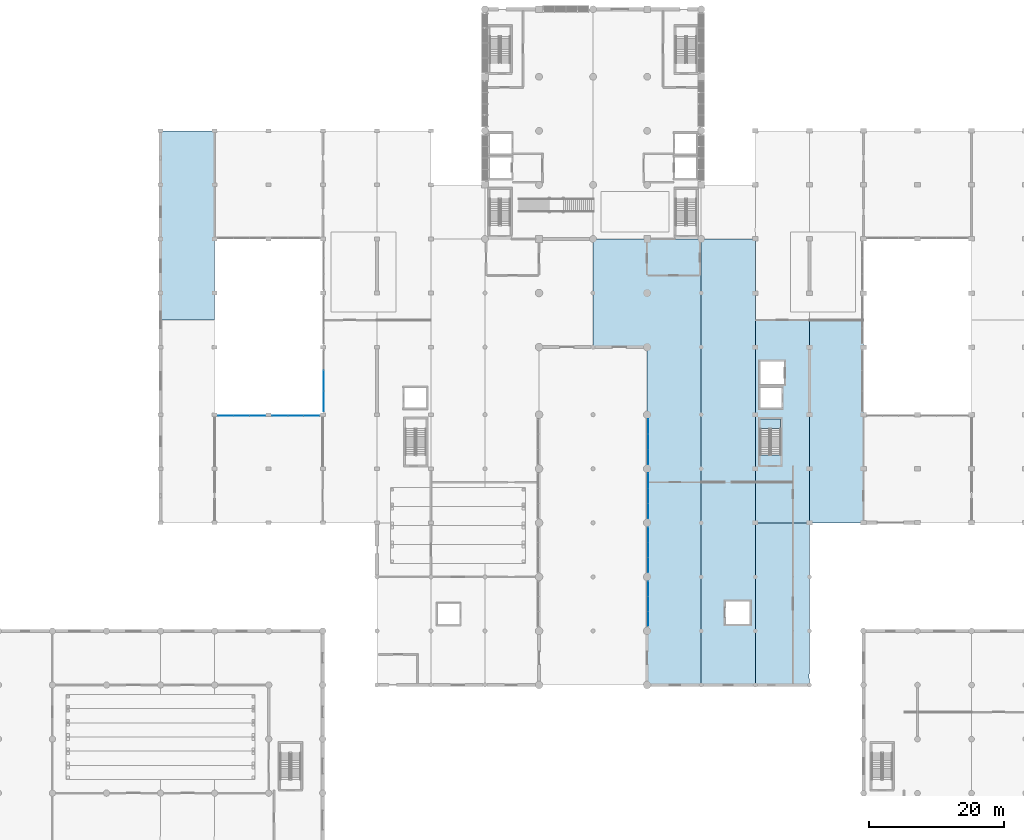
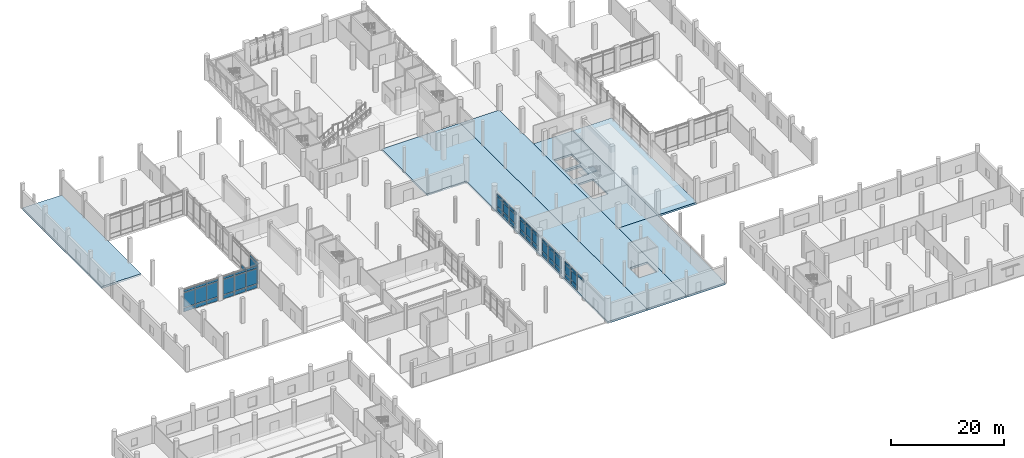
# One storey, part 16 of 42: 56 plates, 7 slabs, 8 elements without a shape of their own.
"""IFC4 building model written with IfcOpenShell, lengths in metres."""

from ifc_helpers import new_model, si_unit, direction, frame, origin, origin_2d, place, context, subcontext, project, spatial, polyline, rectangle, outline, extrude, material, layer, layer_set, type_object, element, aggregate, save


model = new_model("IFC4")

# Units and contexts
model_context = context("Model", 3, precision=1e-05, world=origin(), true_north=direction((0.0, 1.0)))
body_context = subcontext(model_context, "Body", "Model", "MODEL_VIEW")
ifc_project = project(units=[si_unit("LENGTHUNIT", "METRE"), si_unit("AREAUNIT", "SQUARE_METRE"), si_unit("VOLUMEUNIT", "CUBIC_METRE"), si_unit("PLANEANGLEUNIT", "RADIAN"), si_unit("MASSUNIT", "GRAM", prefix="KILO")], contexts=[model_context])

# Site, building, storey
site_placement = place(None, origin())
site = spatial("IfcSite", under=ifc_project, at=site_placement, CompositionType="ELEMENT")
building_placement = place(site_placement, origin())
building = spatial("IfcBuilding", under=site, at=building_placement, Name="Pecanmere Concourse Central Library", CompositionType="ELEMENT")
storey_placement = place(building_placement, origin())
storey = spatial("IfcBuildingStorey", under=building, at=storey_placement, Name="L01", CompositionType="ELEMENT", Elevation=0.0)

# Curtain wall, plates
ifc_material_1 = material(Name="Clear anodized aluminium alloy 6063-T6", Category="aluminium")
curtain_wall_type = type_object("IfcCurtainWallType", Name="CW_CLOISTER_GLAZ", PredefinedType="USERDEFINED", material=ifc_material_1)
curtain_wall_1_placement = place(storey_placement, origin())
curtain_wall_1 = element("IfcCurtainWall", 1, at=curtain_wall_1_placement, inside=storey, type_object=curtain_wall_type, Name="Unitised Curtain Wall CW-04 L01-102", ObjectType="UNITISED CURTAIN WALL", PredefinedType="USERDEFINED")
ifc_material_2 = material(Name="White ceramic-fritted insulated spandrel glazing", Category="glass")
ifc_layer_1 = layer(ifc_material_2, 0.053955078125, Name="CWP_SPN_54")
ifc_layer_set_1 = layer_set([ifc_layer_1], Name="White ceramic-fritted insulated spandrel glazing")
plate_type_1 = type_object("IfcPlateType", Name="CWP_SPN_54", PredefinedType="CURTAIN_PANEL", material=ifc_layer_set_1)
plate_1_placement = place(storey_placement, frame((48.14990234375, 69.0, 0.139892578125), z_axis=(0.0, 0.0, 1.0), x_axis=(0.0, -1.0, 0.0)))
plate_1 = element("IfcPlate", 2, at=plate_1_placement, type_object=plate_type_1, Name="CW-04 Spandrel Panel 2.1", PredefinedType="CURTAIN_PANEL", context=body_context, shape_type="SweptSolid", body=[
    extrude(rectangle(XDim=2.953369140625, YDim=0.035888671875, at=origin_2d()), origin(), (0.0, 0.0, 1.0), 0.7900390625),
])
plate_2_placement = place(storey_placement, frame((48.14990234375, 66.001708984375, 0.139892578125), z_axis=(0.0, 0.0, 1.0), x_axis=(0.0, -1.0, 0.0)))
plate_2 = element("IfcPlate", 3, at=plate_2_placement, type_object=plate_type_1, Name="CW-04 Spandrel Panel 3.1", PredefinedType="CURTAIN_PANEL", context=body_context, shape_type="SweptSolid", body=[
    extrude(rectangle(XDim=2.92333984375, YDim=0.035888671875, at=origin_2d()), origin(), (0.0, 0.0, 1.0), 0.7900390625),
])

curtain_wall_2_placement = place(storey_placement, origin())
curtain_wall_2 = element("IfcCurtainWall", 4, at=curtain_wall_2_placement, inside=storey, type_object=curtain_wall_type, Name="Unitised Curtain Wall CW-04 L01-111", ObjectType="UNITISED CURTAIN WALL", PredefinedType="USERDEFINED")
plate_3_placement = place(storey_placement, frame((33.668212890625, 63.85009765625, 0.139892578125), z_axis=(0.0, 0.0, 1.0), x_axis=(1.0, 0.0, 0.0)))
plate_3 = element("IfcPlate", 5, at=plate_3_placement, type_object=plate_type_1, Name="CW-04 Spandrel Panel 1.1", PredefinedType="CURTAIN_PANEL", context=body_context, shape_type="SweptSolid", body=[
    extrude(rectangle(XDim=2.256591796875, YDim=0.035888671875, at=origin_2d()), origin(), (0.0, 0.0, 1.0), 0.7900390625),
])
plate_4_placement = place(storey_placement, frame((36.0, 63.85009765625, 0.139892578125), z_axis=(0.0, 0.0, 1.0), x_axis=(1.0, 0.0, 0.0)))
plate_4 = element("IfcPlate", 6, at=plate_4_placement, type_object=plate_type_1, Name="CW-04 Spandrel Panel 2.1", PredefinedType="CURTAIN_PANEL", context=body_context, shape_type="SweptSolid", body=[
    extrude(rectangle(XDim=2.28662109375, YDim=0.035888671875, at=origin_2d()), origin(), (0.0, 0.0, 1.0), 0.7900390625),
])
plate_5_placement = place(storey_placement, frame((38.331787109375, 63.85009765625, 0.139892578125), z_axis=(0.0, 0.0, 1.0), x_axis=(1.0, 0.0, 0.0)))
plate_5 = element("IfcPlate", 7, at=plate_5_placement, type_object=plate_type_1, Name="CW-04 Spandrel Panel 3.1", PredefinedType="CURTAIN_PANEL", context=body_context, shape_type="SweptSolid", body=[
    extrude(rectangle(XDim=2.256591796875, YDim=0.035888671875, at=origin_2d()), origin(), (0.0, 0.0, 1.0), 0.7900390625),
])

curtain_wall_3_placement = place(storey_placement, origin())
curtain_wall_3 = element("IfcCurtainWall", 8, at=curtain_wall_3_placement, inside=storey, type_object=curtain_wall_type, Name="Unitised Curtain Wall CW-04 L01-113", ObjectType="UNITISED CURTAIN WALL", PredefinedType="USERDEFINED")
plate_6_placement = place(storey_placement, frame((41.668212890625, 63.85009765625, 0.139892578125), z_axis=(0.0, 0.0, 1.0), x_axis=(1.0, 0.0, 0.0)))
plate_6 = element("IfcPlate", 9, at=plate_6_placement, type_object=plate_type_1, Name="CW-04 Spandrel Panel 1.1", PredefinedType="CURTAIN_PANEL", context=body_context, shape_type="SweptSolid", body=[
    extrude(rectangle(XDim=2.256591796875, YDim=0.035888671875, at=origin_2d()), origin(), (0.0, 0.0, 1.0), 0.7900390625),
])
plate_7_placement = place(storey_placement, frame((44.0, 63.85009765625, 0.139892578125), z_axis=(0.0, 0.0, 1.0), x_axis=(1.0, 0.0, 0.0)))
plate_7 = element("IfcPlate", 10, at=plate_7_placement, type_object=plate_type_1, Name="CW-04 Spandrel Panel 2.1", PredefinedType="CURTAIN_PANEL", context=body_context, shape_type="SweptSolid", body=[
    extrude(rectangle(XDim=2.28662109375, YDim=0.035888671875, at=origin_2d()), origin(), (0.0, 0.0, 1.0), 0.7900390625),
])
plate_8_placement = place(storey_placement, frame((46.331787109375, 63.85009765625, 0.139892578125), z_axis=(0.0, 0.0, 1.0), x_axis=(1.0, 0.0, 0.0)))
plate_8 = element("IfcPlate", 11, at=plate_8_placement, type_object=plate_type_1, Name="CW-04 Spandrel Panel 3.1", PredefinedType="CURTAIN_PANEL", context=body_context, shape_type="SweptSolid", body=[
    extrude(rectangle(XDim=2.256591796875, YDim=0.035888671875, at=origin_2d()), origin(), (0.0, 0.0, 1.0), 0.7900390625),
])

curtain_wall_4_placement = place(storey_placement, origin())
curtain_wall_4 = element("IfcCurtainWall", 12, at=curtain_wall_4_placement, inside=storey, type_object=curtain_wall_type, Name="Unitised Curtain Wall CW-04 L01-164", ObjectType="UNITISED CURTAIN WALL", PredefinedType="USERDEFINED")
plate_9_placement = place(storey_placement, frame((96.14990234375, 38.22509765625, 0.14013671875), z_axis=(0.0, 0.0, 1.0), x_axis=(0.0, -1.0, 0.0)))
plate_9 = element("IfcPlate", 13, at=plate_9_placement, type_object=plate_type_1, Name="CW-04 Spandrel Panel 1.1", PredefinedType="CURTAIN_PANEL", context=body_context, shape_type="SweptSolid", body=[
    extrude(rectangle(XDim=2.14990234375, YDim=0.035888671875, at=origin_2d()), origin(), (0.0, 0.0, 1.0), 0.840087890625),
])
plate_10_placement = place(storey_placement, frame((96.14990234375, 36.0, 0.14013671875), z_axis=(0.0, 0.0, 1.0), x_axis=(0.0, -1.0, 0.0)))
plate_10 = element("IfcPlate", 14, at=plate_10_placement, type_object=plate_type_1, Name="CW-04 Spandrel Panel 2.1", PredefinedType="CURTAIN_PANEL", context=body_context, shape_type="SweptSolid", body=[
    extrude(rectangle(XDim=2.179931640625, YDim=0.035888671875, at=origin_2d()), origin(), (0.0, 0.0, 1.0), 0.840087890625),
])

curtain_wall_5_placement = place(storey_placement, origin())
curtain_wall_5 = element("IfcCurtainWall", 15, at=curtain_wall_5_placement, inside=storey, type_object=curtain_wall_type, Name="Unitised Curtain Wall CW-04 L01-166", ObjectType="UNITISED CURTAIN WALL", PredefinedType="USERDEFINED")
plate_11_placement = place(storey_placement, frame((96.14990234375, 46.22509765625, 0.14013671875), z_axis=(0.0, 0.0, 1.0), x_axis=(0.0, -1.0, 0.0)))
plate_11 = element("IfcPlate", 16, at=plate_11_placement, type_object=plate_type_1, Name="CW-04 Spandrel Panel 1.1", PredefinedType="CURTAIN_PANEL", context=body_context, shape_type="SweptSolid", body=[
    extrude(rectangle(XDim=2.14990234375, YDim=0.035888671875, at=origin_2d()), origin(), (0.0, 0.0, 1.0), 0.840087890625),
])
plate_12_placement = place(storey_placement, frame((96.14990234375, 44.0, 0.14013671875), z_axis=(0.0, 0.0, 1.0), x_axis=(0.0, -1.0, 0.0)))
plate_12 = element("IfcPlate", 17, at=plate_12_placement, type_object=plate_type_1, Name="CW-04 Spandrel Panel 2.1", PredefinedType="CURTAIN_PANEL", context=body_context, shape_type="SweptSolid", body=[
    extrude(rectangle(XDim=2.179931640625, YDim=0.035888671875, at=origin_2d()), origin(), (0.0, 0.0, 1.0), 0.840087890625),
])
plate_13_placement = place(storey_placement, frame((96.14990234375, 41.77490234375, 0.14013671875), z_axis=(0.0, 0.0, 1.0), x_axis=(0.0, -1.0, 0.0)))
plate_13 = element("IfcPlate", 18, at=plate_13_placement, type_object=plate_type_1, Name="CW-04 Spandrel Panel 3.1", PredefinedType="CURTAIN_PANEL", context=body_context, shape_type="SweptSolid", body=[
    extrude(rectangle(XDim=2.14990234375, YDim=0.035888671875, at=origin_2d()), origin(), (0.0, 0.0, 1.0), 0.840087890625),
])

curtain_wall_6_placement = place(storey_placement, origin())
curtain_wall_6 = element("IfcCurtainWall", 19, at=curtain_wall_6_placement, inside=storey, type_object=curtain_wall_type, Name="Unitised Curtain Wall CW-04 L01-168", ObjectType="UNITISED CURTAIN WALL", PredefinedType="USERDEFINED")
plate_14_placement = place(storey_placement, frame((96.14990234375, 54.22509765625, 0.14013671875), z_axis=(0.0, 0.0, 1.0), x_axis=(0.0, -1.0, 0.0)))
plate_14 = element("IfcPlate", 20, at=plate_14_placement, type_object=plate_type_1, Name="CW-04 Spandrel Panel 1.1", PredefinedType="CURTAIN_PANEL", context=body_context, shape_type="SweptSolid", body=[
    extrude(rectangle(XDim=2.14990234375, YDim=0.035888671875, at=origin_2d()), origin(), (0.0, 0.0, 1.0), 0.840087890625),
])
plate_15_placement = place(storey_placement, frame((96.14990234375, 52.0, 0.14013671875), z_axis=(0.0, 0.0, 1.0), x_axis=(0.0, -1.0, 0.0)))
plate_15 = element("IfcPlate", 21, at=plate_15_placement, type_object=plate_type_1, Name="CW-04 Spandrel Panel 2.1", PredefinedType="CURTAIN_PANEL", context=body_context, shape_type="SweptSolid", body=[
    extrude(rectangle(XDim=2.179931640625, YDim=0.035888671875, at=origin_2d()), origin(), (0.0, 0.0, 1.0), 0.840087890625),
])
plate_16_placement = place(storey_placement, frame((96.14990234375, 49.77490234375, 0.14013671875), z_axis=(0.0, 0.0, 1.0), x_axis=(0.0, -1.0, 0.0)))
plate_16 = element("IfcPlate", 22, at=plate_16_placement, type_object=plate_type_1, Name="CW-04 Spandrel Panel 3.1", PredefinedType="CURTAIN_PANEL", context=body_context, shape_type="SweptSolid", body=[
    extrude(rectangle(XDim=2.14990234375, YDim=0.035888671875, at=origin_2d()), origin(), (0.0, 0.0, 1.0), 0.840087890625),
])

curtain_wall_7_placement = place(storey_placement, origin())
curtain_wall_7 = element("IfcCurtainWall", 23, at=curtain_wall_7_placement, inside=storey, type_object=curtain_wall_type, Name="Unitised Curtain Wall CW-04 L01-170", ObjectType="UNITISED CURTAIN WALL", PredefinedType="USERDEFINED")
plate_17_placement = place(storey_placement, frame((96.14990234375, 62.22509765625, 0.14013671875), z_axis=(0.0, 0.0, 1.0), x_axis=(0.0, -1.0, 0.0)))
plate_17 = element("IfcPlate", 24, at=plate_17_placement, type_object=plate_type_1, Name="CW-04 Spandrel Panel 1.1", PredefinedType="CURTAIN_PANEL", context=body_context, shape_type="SweptSolid", body=[
    extrude(rectangle(XDim=2.14990234375, YDim=0.035888671875, at=origin_2d()), origin(), (0.0, 0.0, 1.0), 0.840087890625),
])
plate_18_placement = place(storey_placement, frame((96.14990234375, 60.0, 0.14013671875), z_axis=(0.0, 0.0, 1.0), x_axis=(0.0, -1.0, 0.0)))
plate_18 = element("IfcPlate", 25, at=plate_18_placement, type_object=plate_type_1, Name="CW-04 Spandrel Panel 2.1", PredefinedType="CURTAIN_PANEL", context=body_context, shape_type="SweptSolid", body=[
    extrude(rectangle(XDim=2.179931640625, YDim=0.035888671875, at=origin_2d()), origin(), (0.0, 0.0, 1.0), 0.840087890625),
])
plate_19_placement = place(storey_placement, frame((96.14990234375, 57.77490234375, 0.14013671875), z_axis=(0.0, 0.0, 1.0), x_axis=(0.0, -1.0, 0.0)))
plate_19 = element("IfcPlate", 26, at=plate_19_placement, type_object=plate_type_1, Name="CW-04 Spandrel Panel 3.1", PredefinedType="CURTAIN_PANEL", context=body_context, shape_type="SweptSolid", body=[
    extrude(rectangle(XDim=2.14990234375, YDim=0.035888671875, at=origin_2d()), origin(), (0.0, 0.0, 1.0), 0.840087890625),
])

# Plate
ifc_material_3 = material(Name="Low-iron clear insulated glazing", Category="glass")
ifc_layer_2 = layer(ifc_material_3, 0.035888671875, Name="CWP_VIS_36")
ifc_layer_set_2 = layer_set([ifc_layer_2], Name="Low-iron clear insulated glazing")
plate_type_2 = type_object("IfcPlateType", Name="CWP_VIS_36", PredefinedType="CURTAIN_PANEL", material=ifc_layer_set_2)
plate_20_placement = place(storey_placement, frame((48.14990234375, 66.001708984375, 1.070068359375), z_axis=(0.0, 0.0, 1.0), x_axis=(0.0, -1.0, 0.0)))
plate_20 = element("IfcPlate", 27, at=plate_20_placement, type_object=plate_type_2, Name="CW-04 Vision Panel 3.2", PredefinedType="CURTAIN_PANEL", context=body_context, shape_type="SweptSolid", body=[
    extrude(rectangle(XDim=2.92333984375, YDim=0.035888671875, at=origin_2d()), origin(), (0.0, 0.0, 1.0), 3.18994140625),
])

plate_21_placement = place(storey_placement, frame((48.14990234375, 66.001708984375, 4.39990234375), z_axis=(0.0, 0.0, 1.0), x_axis=(0.0, -1.0, 0.0)))
plate_21 = element("IfcPlate", 28, at=plate_21_placement, type_object=plate_type_2, Name="CW-04 Vision Panel 3.3", PredefinedType="CURTAIN_PANEL", context=body_context, shape_type="SweptSolid", body=[
    extrude(rectangle(XDim=2.92333984375, YDim=0.035888671875, at=origin_2d()), origin(), (0.0, 0.0, 1.0), 0.489990234375),
])

aggregate(curtain_wall_1, [plate_1, plate_2, plate_20, plate_21])

plate_22_placement = place(storey_placement, frame((33.668212890625, 63.85009765625, 1.070068359375), z_axis=(0.0, 0.0, 1.0), x_axis=(1.0, 0.0, 0.0)))
plate_22 = element("IfcPlate", 29, at=plate_22_placement, type_object=plate_type_2, Name="CW-04 Vision Panel 1.2", PredefinedType="CURTAIN_PANEL", context=body_context, shape_type="SweptSolid", body=[
    extrude(rectangle(XDim=2.256591796875, YDim=0.035888671875, at=origin_2d()), origin(), (0.0, 0.0, 1.0), 3.18994140625),
])

plate_23_placement = place(storey_placement, frame((33.668212890625, 63.85009765625, 4.39990234375), z_axis=(0.0, 0.0, 1.0), x_axis=(1.0, 0.0, 0.0)))
plate_23 = element("IfcPlate", 30, at=plate_23_placement, type_object=plate_type_2, Name="CW-04 Vision Panel 1.3", PredefinedType="CURTAIN_PANEL", context=body_context, shape_type="SweptSolid", body=[
    extrude(rectangle(XDim=2.256591796875, YDim=0.035888671875, at=origin_2d()), origin(), (0.0, 0.0, 1.0), 0.489990234375),
])

plate_24_placement = place(storey_placement, frame((36.0, 63.85009765625, 1.070068359375), z_axis=(0.0, 0.0, 1.0), x_axis=(1.0, 0.0, 0.0)))
plate_24 = element("IfcPlate", 31, at=plate_24_placement, type_object=plate_type_2, Name="CW-04 Vision Panel 2.2", PredefinedType="CURTAIN_PANEL", context=body_context, shape_type="SweptSolid", body=[
    extrude(rectangle(XDim=2.28662109375, YDim=0.035888671875, at=origin_2d()), origin(), (0.0, 0.0, 1.0), 3.18994140625),
])

plate_25_placement = place(storey_placement, frame((36.0, 63.85009765625, 4.39990234375), z_axis=(0.0, 0.0, 1.0), x_axis=(1.0, 0.0, 0.0)))
plate_25 = element("IfcPlate", 32, at=plate_25_placement, type_object=plate_type_2, Name="CW-04 Vision Panel 2.3", PredefinedType="CURTAIN_PANEL", context=body_context, shape_type="SweptSolid", body=[
    extrude(rectangle(XDim=2.28662109375, YDim=0.035888671875, at=origin_2d()), origin(), (0.0, 0.0, 1.0), 0.489990234375),
])

plate_26_placement = place(storey_placement, frame((38.331787109375, 63.85009765625, 1.070068359375), z_axis=(0.0, 0.0, 1.0), x_axis=(1.0, 0.0, 0.0)))
plate_26 = element("IfcPlate", 33, at=plate_26_placement, type_object=plate_type_2, Name="CW-04 Vision Panel 3.2", PredefinedType="CURTAIN_PANEL", context=body_context, shape_type="SweptSolid", body=[
    extrude(rectangle(XDim=2.256591796875, YDim=0.035888671875, at=origin_2d()), origin(), (0.0, 0.0, 1.0), 3.18994140625),
])

plate_27_placement = place(storey_placement, frame((38.331787109375, 63.85009765625, 4.39990234375), z_axis=(0.0, 0.0, 1.0), x_axis=(1.0, 0.0, 0.0)))
plate_27 = element("IfcPlate", 34, at=plate_27_placement, type_object=plate_type_2, Name="CW-04 Vision Panel 3.3", PredefinedType="CURTAIN_PANEL", context=body_context, shape_type="SweptSolid", body=[
    extrude(rectangle(XDim=2.256591796875, YDim=0.035888671875, at=origin_2d()), origin(), (0.0, 0.0, 1.0), 0.489990234375),
])

aggregate(curtain_wall_2, [plate_3, plate_22, plate_23, plate_4, plate_24, plate_25, plate_5, plate_26, plate_27])

plate_28_placement = place(storey_placement, frame((41.668212890625, 63.85009765625, 1.070068359375), z_axis=(0.0, 0.0, 1.0), x_axis=(1.0, 0.0, 0.0)))
plate_28 = element("IfcPlate", 35, at=plate_28_placement, type_object=plate_type_2, Name="CW-04 Vision Panel 1.2", PredefinedType="CURTAIN_PANEL", context=body_context, shape_type="SweptSolid", body=[
    extrude(rectangle(XDim=2.256591796875, YDim=0.035888671875, at=origin_2d()), origin(), (0.0, 0.0, 1.0), 3.18994140625),
])

plate_29_placement = place(storey_placement, frame((41.668212890625, 63.85009765625, 4.39990234375), z_axis=(0.0, 0.0, 1.0), x_axis=(1.0, 0.0, 0.0)))
plate_29 = element("IfcPlate", 36, at=plate_29_placement, type_object=plate_type_2, Name="CW-04 Vision Panel 1.3", PredefinedType="CURTAIN_PANEL", context=body_context, shape_type="SweptSolid", body=[
    extrude(rectangle(XDim=2.256591796875, YDim=0.035888671875, at=origin_2d()), origin(), (0.0, 0.0, 1.0), 0.489990234375),
])

plate_30_placement = place(storey_placement, frame((44.0, 63.85009765625, 1.070068359375), z_axis=(0.0, 0.0, 1.0), x_axis=(1.0, 0.0, 0.0)))
plate_30 = element("IfcPlate", 37, at=plate_30_placement, type_object=plate_type_2, Name="CW-04 Vision Panel 2.2", PredefinedType="CURTAIN_PANEL", context=body_context, shape_type="SweptSolid", body=[
    extrude(rectangle(XDim=2.28662109375, YDim=0.035888671875, at=origin_2d()), origin(), (0.0, 0.0, 1.0), 3.18994140625),
])

plate_31_placement = place(storey_placement, frame((44.0, 63.85009765625, 4.39990234375), z_axis=(0.0, 0.0, 1.0), x_axis=(1.0, 0.0, 0.0)))
plate_31 = element("IfcPlate", 38, at=plate_31_placement, type_object=plate_type_2, Name="CW-04 Vision Panel 2.3", PredefinedType="CURTAIN_PANEL", context=body_context, shape_type="SweptSolid", body=[
    extrude(rectangle(XDim=2.28662109375, YDim=0.035888671875, at=origin_2d()), origin(), (0.0, 0.0, 1.0), 0.489990234375),
])

plate_32_placement = place(storey_placement, frame((46.331787109375, 63.85009765625, 1.070068359375), z_axis=(0.0, 0.0, 1.0), x_axis=(1.0, 0.0, 0.0)))
plate_32 = element("IfcPlate", 39, at=plate_32_placement, type_object=plate_type_2, Name="CW-04 Vision Panel 3.2", PredefinedType="CURTAIN_PANEL", context=body_context, shape_type="SweptSolid", body=[
    extrude(rectangle(XDim=2.256591796875, YDim=0.035888671875, at=origin_2d()), origin(), (0.0, 0.0, 1.0), 3.18994140625),
])

plate_33_placement = place(storey_placement, frame((46.331787109375, 63.85009765625, 4.39990234375), z_axis=(0.0, 0.0, 1.0), x_axis=(1.0, 0.0, 0.0)))
plate_33 = element("IfcPlate", 40, at=plate_33_placement, type_object=plate_type_2, Name="CW-04 Vision Panel 3.3", PredefinedType="CURTAIN_PANEL", context=body_context, shape_type="SweptSolid", body=[
    extrude(rectangle(XDim=2.256591796875, YDim=0.035888671875, at=origin_2d()), origin(), (0.0, 0.0, 1.0), 0.489990234375),
])

aggregate(curtain_wall_3, [plate_6, plate_28, plate_29, plate_7, plate_30, plate_31, plate_8, plate_32, plate_33])

plate_34_placement = place(storey_placement, frame((96.14990234375, 38.22509765625, 1.1201171875), z_axis=(0.0, 0.0, 1.0), x_axis=(0.0, -1.0, 0.0)))
plate_34 = element("IfcPlate", 41, at=plate_34_placement, type_object=plate_type_2, Name="CW-04 Vision Panel 1.2", PredefinedType="CURTAIN_PANEL", context=body_context, shape_type="SweptSolid", body=[
    extrude(rectangle(XDim=2.14990234375, YDim=0.035888671875, at=origin_2d()), origin(), (0.0, 0.0, 1.0), 1.909912109375),
])

plate_35_placement = place(storey_placement, frame((96.14990234375, 38.22509765625, 3.169921875), z_axis=(0.0, 0.0, 1.0), x_axis=(0.0, -1.0, 0.0)))
plate_35 = element("IfcPlate", 42, at=plate_35_placement, type_object=plate_type_2, Name="CW-04 Vision Panel 1.3", PredefinedType="CURTAIN_PANEL", context=body_context, shape_type="SweptSolid", body=[
    extrude(rectangle(XDim=2.14990234375, YDim=0.035888671875, at=origin_2d()), origin(), (0.0, 0.0, 1.0), 0.5400390625),
])

plate_36_placement = place(storey_placement, frame((96.14990234375, 36.0, 1.1201171875), z_axis=(0.0, 0.0, 1.0), x_axis=(0.0, -1.0, 0.0)))
plate_36 = element("IfcPlate", 43, at=plate_36_placement, type_object=plate_type_2, Name="CW-04 Vision Panel 2.2", PredefinedType="CURTAIN_PANEL", context=body_context, shape_type="SweptSolid", body=[
    extrude(rectangle(XDim=2.179931640625, YDim=0.035888671875, at=origin_2d()), origin(), (0.0, 0.0, 1.0), 1.909912109375),
])

plate_37_placement = place(storey_placement, frame((96.14990234375, 36.0, 3.169921875), z_axis=(0.0, 0.0, 1.0), x_axis=(0.0, -1.0, 0.0)))
plate_37 = element("IfcPlate", 44, at=plate_37_placement, type_object=plate_type_2, Name="CW-04 Vision Panel 2.3", PredefinedType="CURTAIN_PANEL", context=body_context, shape_type="SweptSolid", body=[
    extrude(rectangle(XDim=2.179931640625, YDim=0.035888671875, at=origin_2d()), origin(), (0.0, 0.0, 1.0), 0.5400390625),
])

plate_38_placement = place(storey_placement, frame((96.14990234375, 33.77490234375, 3.169921875), z_axis=(0.0, 0.0, 1.0), x_axis=(0.0, -1.0, 0.0)))
plate_38 = element("IfcPlate", 45, at=plate_38_placement, type_object=plate_type_2, Name="CW-04 Vision Panel 3.3", PredefinedType="CURTAIN_PANEL", context=body_context, shape_type="SweptSolid", body=[
    extrude(rectangle(XDim=2.14990234375, YDim=0.035888671875, at=origin_2d()), origin(), (0.0, 0.0, 1.0), 0.5400390625),
])

aggregate(curtain_wall_4, [plate_9, plate_34, plate_35, plate_10, plate_36, plate_37, plate_38])

plate_39_placement = place(storey_placement, frame((96.14990234375, 46.22509765625, 1.1201171875), z_axis=(0.0, 0.0, 1.0), x_axis=(0.0, -1.0, 0.0)))
plate_39 = element("IfcPlate", 46, at=plate_39_placement, type_object=plate_type_2, Name="CW-04 Vision Panel 1.2", PredefinedType="CURTAIN_PANEL", context=body_context, shape_type="SweptSolid", body=[
    extrude(rectangle(XDim=2.14990234375, YDim=0.035888671875, at=origin_2d()), origin(), (0.0, 0.0, 1.0), 1.909912109375),
])

plate_40_placement = place(storey_placement, frame((96.14990234375, 46.22509765625, 3.169921875), z_axis=(0.0, 0.0, 1.0), x_axis=(0.0, -1.0, 0.0)))
plate_40 = element("IfcPlate", 47, at=plate_40_placement, type_object=plate_type_2, Name="CW-04 Vision Panel 1.3", PredefinedType="CURTAIN_PANEL", context=body_context, shape_type="SweptSolid", body=[
    extrude(rectangle(XDim=2.14990234375, YDim=0.035888671875, at=origin_2d()), origin(), (0.0, 0.0, 1.0), 0.5400390625),
])

plate_41_placement = place(storey_placement, frame((96.14990234375, 44.0, 1.1201171875), z_axis=(0.0, 0.0, 1.0), x_axis=(0.0, -1.0, 0.0)))
plate_41 = element("IfcPlate", 48, at=plate_41_placement, type_object=plate_type_2, Name="CW-04 Vision Panel 2.2", PredefinedType="CURTAIN_PANEL", context=body_context, shape_type="SweptSolid", body=[
    extrude(rectangle(XDim=2.179931640625, YDim=0.035888671875, at=origin_2d()), origin(), (0.0, 0.0, 1.0), 1.909912109375),
])

plate_42_placement = place(storey_placement, frame((96.14990234375, 44.0, 3.169921875), z_axis=(0.0, 0.0, 1.0), x_axis=(0.0, -1.0, 0.0)))
plate_42 = element("IfcPlate", 49, at=plate_42_placement, type_object=plate_type_2, Name="CW-04 Vision Panel 2.3", PredefinedType="CURTAIN_PANEL", context=body_context, shape_type="SweptSolid", body=[
    extrude(rectangle(XDim=2.179931640625, YDim=0.035888671875, at=origin_2d()), origin(), (0.0, 0.0, 1.0), 0.5400390625),
])

plate_43_placement = place(storey_placement, frame((96.14990234375, 41.77490234375, 1.1201171875), z_axis=(0.0, 0.0, 1.0), x_axis=(0.0, -1.0, 0.0)))
plate_43 = element("IfcPlate", 50, at=plate_43_placement, type_object=plate_type_2, Name="CW-04 Vision Panel 3.2", PredefinedType="CURTAIN_PANEL", context=body_context, shape_type="SweptSolid", body=[
    extrude(rectangle(XDim=2.14990234375, YDim=0.035888671875, at=origin_2d()), origin(), (0.0, 0.0, 1.0), 1.909912109375),
])

plate_44_placement = place(storey_placement, frame((96.14990234375, 41.77490234375, 3.169921875), z_axis=(0.0, 0.0, 1.0), x_axis=(0.0, -1.0, 0.0)))
plate_44 = element("IfcPlate", 51, at=plate_44_placement, type_object=plate_type_2, Name="CW-04 Vision Panel 3.3", PredefinedType="CURTAIN_PANEL", context=body_context, shape_type="SweptSolid", body=[
    extrude(rectangle(XDim=2.14990234375, YDim=0.035888671875, at=origin_2d()), origin(), (0.0, 0.0, 1.0), 0.5400390625),
])

aggregate(curtain_wall_5, [plate_11, plate_39, plate_40, plate_12, plate_41, plate_42, plate_13, plate_43, plate_44])

plate_45_placement = place(storey_placement, frame((96.14990234375, 54.22509765625, 1.1201171875), z_axis=(0.0, 0.0, 1.0), x_axis=(0.0, -1.0, 0.0)))
plate_45 = element("IfcPlate", 52, at=plate_45_placement, type_object=plate_type_2, Name="CW-04 Vision Panel 1.2", PredefinedType="CURTAIN_PANEL", context=body_context, shape_type="SweptSolid", body=[
    extrude(rectangle(XDim=2.14990234375, YDim=0.035888671875, at=origin_2d()), origin(), (0.0, 0.0, 1.0), 1.909912109375),
])

plate_46_placement = place(storey_placement, frame((96.14990234375, 54.22509765625, 3.169921875), z_axis=(0.0, 0.0, 1.0), x_axis=(0.0, -1.0, 0.0)))
plate_46 = element("IfcPlate", 53, at=plate_46_placement, type_object=plate_type_2, Name="CW-04 Vision Panel 1.3", PredefinedType="CURTAIN_PANEL", context=body_context, shape_type="SweptSolid", body=[
    extrude(rectangle(XDim=2.14990234375, YDim=0.035888671875, at=origin_2d()), origin(), (0.0, 0.0, 1.0), 0.5400390625),
])

plate_47_placement = place(storey_placement, frame((96.14990234375, 52.0, 1.1201171875), z_axis=(0.0, 0.0, 1.0), x_axis=(0.0, -1.0, 0.0)))
plate_47 = element("IfcPlate", 54, at=plate_47_placement, type_object=plate_type_2, Name="CW-04 Vision Panel 2.2", PredefinedType="CURTAIN_PANEL", context=body_context, shape_type="SweptSolid", body=[
    extrude(rectangle(XDim=2.179931640625, YDim=0.035888671875, at=origin_2d()), origin(), (0.0, 0.0, 1.0), 1.909912109375),
])

plate_48_placement = place(storey_placement, frame((96.14990234375, 52.0, 3.169921875), z_axis=(0.0, 0.0, 1.0), x_axis=(0.0, -1.0, 0.0)))
plate_48 = element("IfcPlate", 55, at=plate_48_placement, type_object=plate_type_2, Name="CW-04 Vision Panel 2.3", PredefinedType="CURTAIN_PANEL", context=body_context, shape_type="SweptSolid", body=[
    extrude(rectangle(XDim=2.179931640625, YDim=0.035888671875, at=origin_2d()), origin(), (0.0, 0.0, 1.0), 0.5400390625),
])

plate_49_placement = place(storey_placement, frame((96.14990234375, 49.77490234375, 1.1201171875), z_axis=(0.0, 0.0, 1.0), x_axis=(0.0, -1.0, 0.0)))
plate_49 = element("IfcPlate", 56, at=plate_49_placement, type_object=plate_type_2, Name="CW-04 Vision Panel 3.2", PredefinedType="CURTAIN_PANEL", context=body_context, shape_type="SweptSolid", body=[
    extrude(rectangle(XDim=2.14990234375, YDim=0.035888671875, at=origin_2d()), origin(), (0.0, 0.0, 1.0), 1.909912109375),
])

plate_50_placement = place(storey_placement, frame((96.14990234375, 49.77490234375, 3.169921875), z_axis=(0.0, 0.0, 1.0), x_axis=(0.0, -1.0, 0.0)))
plate_50 = element("IfcPlate", 57, at=plate_50_placement, type_object=plate_type_2, Name="CW-04 Vision Panel 3.3", PredefinedType="CURTAIN_PANEL", context=body_context, shape_type="SweptSolid", body=[
    extrude(rectangle(XDim=2.14990234375, YDim=0.035888671875, at=origin_2d()), origin(), (0.0, 0.0, 1.0), 0.5400390625),
])

aggregate(curtain_wall_6, [plate_14, plate_45, plate_46, plate_15, plate_47, plate_48, plate_16, plate_49, plate_50])

plate_51_placement = place(storey_placement, frame((96.14990234375, 62.22509765625, 1.1201171875), z_axis=(0.0, 0.0, 1.0), x_axis=(0.0, -1.0, 0.0)))
plate_51 = element("IfcPlate", 58, at=plate_51_placement, type_object=plate_type_2, Name="CW-04 Vision Panel 1.2", PredefinedType="CURTAIN_PANEL", context=body_context, shape_type="SweptSolid", body=[
    extrude(rectangle(XDim=2.14990234375, YDim=0.035888671875, at=origin_2d()), origin(), (0.0, 0.0, 1.0), 1.909912109375),
])

plate_52_placement = place(storey_placement, frame((96.14990234375, 62.22509765625, 3.169921875), z_axis=(0.0, 0.0, 1.0), x_axis=(0.0, -1.0, 0.0)))
plate_52 = element("IfcPlate", 59, at=plate_52_placement, type_object=plate_type_2, Name="CW-04 Vision Panel 1.3", PredefinedType="CURTAIN_PANEL", context=body_context, shape_type="SweptSolid", body=[
    extrude(rectangle(XDim=2.14990234375, YDim=0.035888671875, at=origin_2d()), origin(), (0.0, 0.0, 1.0), 0.5400390625),
])

plate_53_placement = place(storey_placement, frame((96.14990234375, 60.0, 1.1201171875), z_axis=(0.0, 0.0, 1.0), x_axis=(0.0, -1.0, 0.0)))
plate_53 = element("IfcPlate", 60, at=plate_53_placement, type_object=plate_type_2, Name="CW-04 Vision Panel 2.2", PredefinedType="CURTAIN_PANEL", context=body_context, shape_type="SweptSolid", body=[
    extrude(rectangle(XDim=2.179931640625, YDim=0.035888671875, at=origin_2d()), origin(), (0.0, 0.0, 1.0), 1.909912109375),
])

plate_54_placement = place(storey_placement, frame((96.14990234375, 60.0, 3.169921875), z_axis=(0.0, 0.0, 1.0), x_axis=(0.0, -1.0, 0.0)))
plate_54 = element("IfcPlate", 61, at=plate_54_placement, type_object=plate_type_2, Name="CW-04 Vision Panel 2.3", PredefinedType="CURTAIN_PANEL", context=body_context, shape_type="SweptSolid", body=[
    extrude(rectangle(XDim=2.179931640625, YDim=0.035888671875, at=origin_2d()), origin(), (0.0, 0.0, 1.0), 0.5400390625),
])

plate_55_placement = place(storey_placement, frame((96.14990234375, 57.77490234375, 1.1201171875), z_axis=(0.0, 0.0, 1.0), x_axis=(0.0, -1.0, 0.0)))
plate_55 = element("IfcPlate", 62, at=plate_55_placement, type_object=plate_type_2, Name="CW-04 Vision Panel 3.2", PredefinedType="CURTAIN_PANEL", context=body_context, shape_type="SweptSolid", body=[
    extrude(rectangle(XDim=2.14990234375, YDim=0.035888671875, at=origin_2d()), origin(), (0.0, 0.0, 1.0), 1.909912109375),
])

plate_56_placement = place(storey_placement, frame((96.14990234375, 57.77490234375, 3.169921875), z_axis=(0.0, 0.0, 1.0), x_axis=(0.0, -1.0, 0.0)))
plate_56 = element("IfcPlate", 63, at=plate_56_placement, type_object=plate_type_2, Name="CW-04 Vision Panel 3.3", PredefinedType="CURTAIN_PANEL", context=body_context, shape_type="SweptSolid", body=[
    extrude(rectangle(XDim=2.14990234375, YDim=0.035888671875, at=origin_2d()), origin(), (0.0, 0.0, 1.0), 0.5400390625),
])

aggregate(curtain_wall_7, [plate_17, plate_51, plate_52, plate_18, plate_53, plate_54, plate_19, plate_55, plate_56])

# Slabs
ifc_material_4 = material(Name="Concrete C35/45", Category="concrete")
ifc_layer_3 = layer(ifc_material_4, 0.419921875, Name="SLAB_GRADE_420")
ifc_layer_set_3 = layer_set([ifc_layer_3], Name="Concrete C35/45")
slab_type_1 = type_object("IfcSlabType", Name="SLAB_GRADE_420", PredefinedType="FLOOR", material=ifc_layer_set_3)
slab_1_placement = place(storey_placement, frame((0.0, 0.0, -0.419921875)))
element("IfcSlab", 64, at=slab_1_placement, inside=storey, type_object=slab_type_1, Name="Floor Slab V2 L01-036", PredefinedType="FLOOR", context=body_context, shape_type="SweptSolid", body=[
    extrude(outline(polyline([(112.0, 48.0), (112.0, 78.0), (120.0, 78.0), (120.0, 48.0), (112.0, 48.0)]), holes=[polyline([(115.760009765625, 63.3701171875), (112.699951171875, 63.3701171875), (112.699951171875, 58.030029296875), (115.760009765625, 58.030029296875), (115.760009765625, 63.3701171875)]), polyline([(115.89990234375, 68.0), (112.699951171875, 68.0), (112.699951171875, 65.0), (115.89990234375, 65.0), (115.89990234375, 68.0)]), polyline([(116.300048828125, 71.89990234375), (112.699951171875, 71.89990234375), (112.699951171875, 68.5), (116.300048828125, 68.5), (116.300048828125, 71.89990234375)])]), origin(), (0.0, 0.0, 1.0), 0.419921875),
])
slab_2_placement = place(storey_placement, frame((0.0, 0.0, -0.419921875)))
element("IfcSlab", 65, at=slab_2_placement, inside=storey, type_object=slab_type_1, Name="Floor Slab V2 L01-038", PredefinedType="FLOOR", context=body_context, shape_type="SweptSolid", body=[
    extrude(outline(polyline([(128.0, 48.0), (120.0, 48.0), (120.0, 78.0), (128.0, 78.0), (128.0, 64.0), (128.0, 48.0)])), origin(), (0.0, 0.0, 1.0), 0.419921875),
])
slab_3_placement = place(storey_placement, frame((0.0, 0.0, -0.419921875)))
element("IfcSlab", 66, at=slab_3_placement, inside=storey, type_object=slab_type_1, Name="Floor Slab V3 L01-045", PredefinedType="FLOOR", context=body_context, shape_type="SweptSolid", body=[
    extrude(outline(polyline([(32.0, 90.0), (32.0, 78.0), (24.0, 78.0), (24.0, 106.0), (32.0, 106.0), (32.0, 90.0)])), origin(), (0.0, 0.0, 1.0), 0.419921875),
])
slab_4_placement = place(storey_placement, frame((0.0, 0.0, -0.419921875)))
element("IfcSlab", 67, at=slab_4_placement, inside=storey, type_object=slab_type_1, Name="Floor Slab V6 L01-063", PredefinedType="FLOOR", context=body_context, shape_type="SweptSolid", body=[
    extrude(outline(polyline([(104.0, 24.0), (96.0, 24.0), (96.0, 74.0), (88.0, 74.0), (88.0, 90.0), (96.0, 90.0), (104.0, 90.0), (104.0, 24.0)])), origin(), (0.0, 0.0, 1.0), 0.419921875),
])
slab_5_placement = place(storey_placement, frame((0.0, 0.0, -0.419921875)))
element("IfcSlab", 68, at=slab_5_placement, inside=storey, type_object=slab_type_1, Name="Floor Slab V6 L01-064", PredefinedType="FLOOR", context=body_context, shape_type="SweptSolid", body=[
    extrude(outline(polyline([(112.0, 24.0), (104.0, 24.0), (104.0, 90.0), (112.0, 90.0), (112.0, 48.0), (112.0, 24.0)]), holes=[polyline([(111.199951171875, 36.39990234375), (107.60009765625, 36.39990234375), (107.60009765625, 33.0), (111.199951171875, 33.0), (111.199951171875, 36.39990234375)])]), origin(), (0.0, 0.0, 1.0), 0.419921875),
])
slab_6_placement = place(storey_placement, frame((0.0, 0.0, -0.419921875)))
element("IfcSlab", 69, at=slab_6_placement, inside=storey, type_object=slab_type_1, Name="Floor Slab V6 L01-065", PredefinedType="FLOOR", context=body_context, shape_type="SweptSolid", body=[
    extrude(outline(polyline([(112.0, 48.0), (120.0, 48.0), (120.0, 25.60009765625), (119.919921875, 25.60009765625), (119.919921875, 25.0), (120.0, 25.0), (120.0, 24.0), (112.0, 24.0), (112.0, 48.0)])), origin(), (0.0, 0.0, 1.0), 0.419921875),
])

# Stair, slab
ifc_material_5 = material(Name="Concrete C35/45", Category="concrete")
stair_type = type_object("IfcStairType", Name="STAIR_TYPE_ST-05-1800", PredefinedType="USERDEFINED", material=ifc_material_5)
stair_placement = place(storey_placement, origin())
stair = element("IfcStair", 70, at=stair_placement, inside=storey, type_object=stair_type, Name="L01 Protected Stair ST-05", ObjectType="TWO_RETURN_STAIR", PredefinedType="USERDEFINED")
ifc_material_6 = material(Name="Concrete C35/45", Category="concrete")
ifc_layer_4 = layer(ifc_material_6, 0.199951171875, Name="SLAB_LANDING_200")
ifc_layer_set_4 = layer_set([ifc_layer_4], Name="Concrete C35/45")
slab_type_2 = type_object("IfcSlabType", Name="SLAB_LANDING_200", PredefinedType="LANDING", material=ifc_layer_set_4)
slab_7_placement = place(storey_placement, frame((0.0, 0.0, 2.5)))
slab_7 = element("IfcSlab", 71, at=slab_7_placement, type_object=slab_type_2, Name="ST-05-1800 landing 1", PredefinedType="LANDING", context=body_context, shape_type="SweptSolid", body=[
    extrude(outline(polyline([(115.760009765625, 61.919921875), (115.760009765625, 63.3701171875), (112.699951171875, 63.3701171875), (112.699951171875, 61.919921875), (115.760009765625, 61.919921875)])), origin(), (0.0, 0.0, 1.0), 0.199951171875),
])
aggregate(stair, [slab_7])

save(model, "model.ifc")
